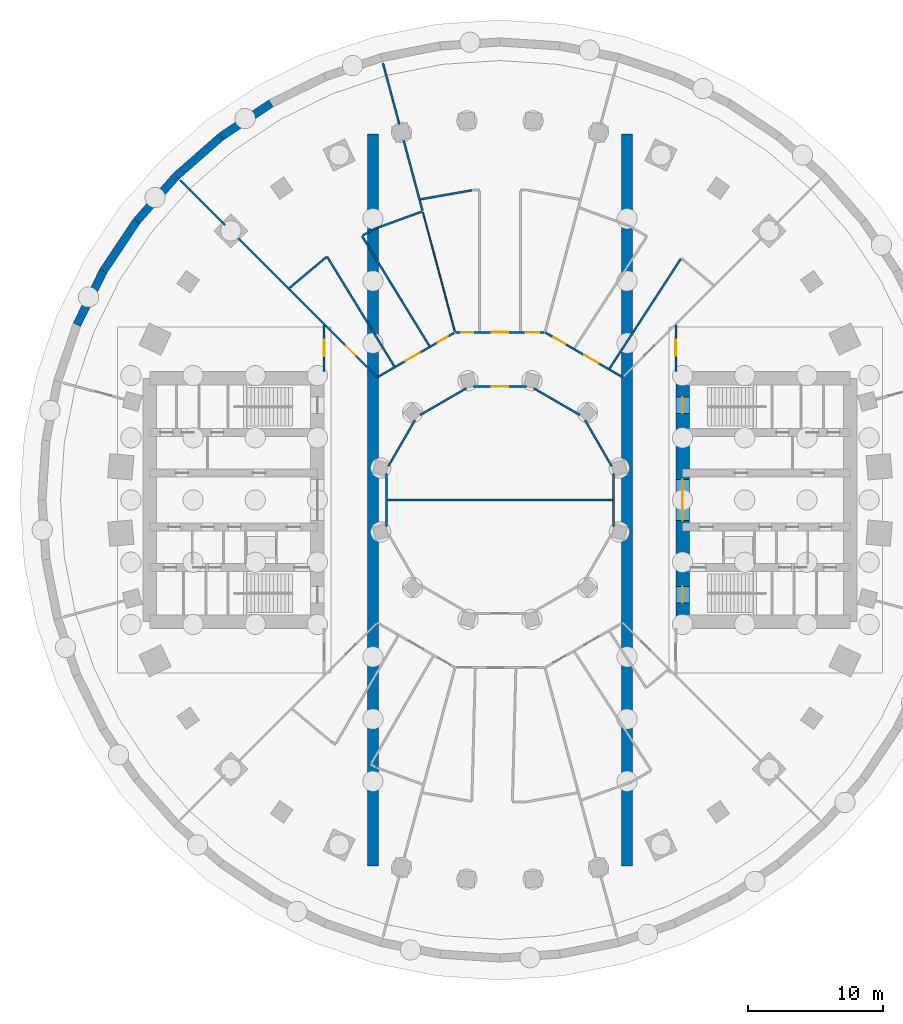
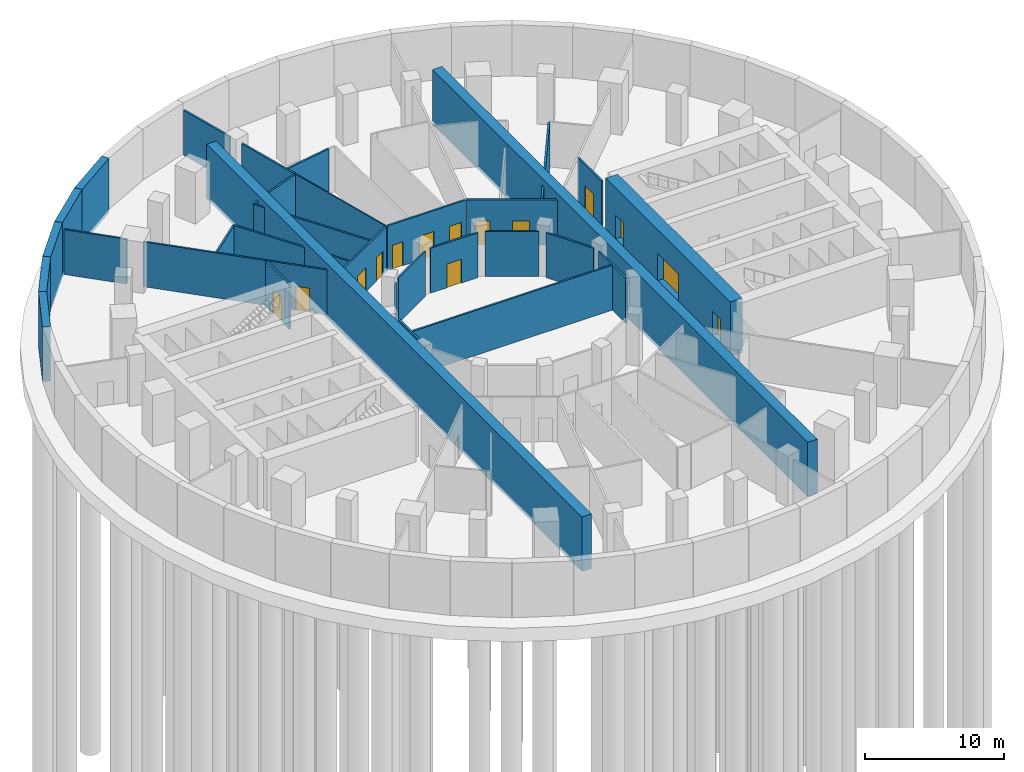
# One storey, part 6 of 10: 33 walls, 14 doors, 14 openings.
"""IFC4 building model written with IfcOpenShell, lengths in metres."""

from ifc_helpers import new_model, si_unit, direction, frame, frame_2d, origin, place, context, subcontext, project, spatial, rectangle, extrude, material, layer, layer_set, type_object, element, fill, save


model = new_model("IFC4")

# Units and contexts
model_context = context("Model", 3, precision=1e-05, world=origin(), true_north=direction((0.0, 1.0)))
body_context = subcontext(model_context, "Body", "Model", "MODEL_VIEW")
ifc_project = project(units=[si_unit("LENGTHUNIT", "METRE"), si_unit("AREAUNIT", "SQUARE_METRE"), si_unit("VOLUMEUNIT", "CUBIC_METRE"), si_unit("PLANEANGLEUNIT", "RADIAN"), si_unit("MASSUNIT", "GRAM", prefix="KILO")], contexts=[model_context])

# Site, building, storey
site_placement = place(None, origin())
site = spatial("IfcSite", under=ifc_project, at=site_placement, CompositionType="ELEMENT")
building_placement = place(site_placement, origin())
building = spatial("IfcBuilding", under=site, at=building_placement, Name="Saqina Gate Tower", CompositionType="ELEMENT")
storey_placement = place(building_placement, frame((0.0, 0.0, -9.0)))
storey = spatial("IfcBuildingStorey", under=building, at=storey_placement, Name="B2", CompositionType="ELEMENT", Elevation=-9.0)

# Walls
ifc_material_1 = material(Name="Gypsum board on steel studs, 100 mm", Category="steel")
ifc_layer_1 = layer(ifc_material_1, 0.10009765625)
ifc_layer_set_1 = layer_set([ifc_layer_1], Name="SPECIAL PARTITION 100")
wall_type_1 = type_object("IfcWallType", Name="SPECIAL PARTITION 100", PredefinedType="PARTITIONING", material=ifc_layer_set_1)
wall_1_placement = place(storey_placement, frame((-5.70166015625, 21.278564453125, 0.0), z_axis=(0.0, 0.0, 1.0), x_axis=(0.258795874203, -0.965932034615, 0.0)))
element("IfcWall", 1, at=wall_1_placement, inside=storey, type_object=wall_type_1, Name="PARTITION 001", PredefinedType="PARTITIONING", context=body_context, shape_type="SweptSolid", body=[
    extrude(rectangle(XDim=9.11669921875, YDim=0.10009765625, at=frame_2d((4.558349609375, 0.0))), origin(), (0.0, 0.0, 1.0), 3.949951171875),
])
ifc_material_2 = material(Name="Masonry block and plaster, 150 mm, fire rated", Category="masonry")
ifc_layer_2 = layer(ifc_material_2, 0.14990234375)
ifc_layer_set_2 = layer_set([ifc_layer_2], Name="SPECIAL PARTITION EI 60 150")
wall_type_2 = type_object("IfcWallType", Name="SPECIAL PARTITION EI 60 150", PredefinedType="PARTITIONING", material=ifc_layer_set_2)
wall_2_placement = place(storey_placement, frame((-8.65673828125, 32.30810546875, 0.0), z_axis=(0.0, 0.0, 1.0), x_axis=(0.258787281972, -0.965934336634, 0.0)))
element("IfcWall", 2, at=wall_2_placement, inside=storey, type_object=wall_type_2, Name="PARTITION 002", PredefinedType="PARTITIONING", context=body_context, shape_type="SweptSolid", body=[
    extrude(rectangle(XDim=4.687744140625, YDim=0.14990234375, at=frame_2d((2.34375, 0.0))), origin(), (0.0, 0.0, 1.0), 3.949951171875),
])
wall_3_placement = place(storey_placement, frame((-7.127685546875, 26.6015625, 0.0), z_axis=(0.0, 0.0, 1.0), x_axis=(0.258799530373, -0.965931055034, 0.0)))
element("IfcWall", 3, at=wall_3_placement, inside=storey, type_object=wall_type_2, Name="PARTITION 003", PredefinedType="PARTITIONING", context=body_context, shape_type="SweptSolid", body=[
    extrude(rectangle(XDim=5.3857421875, YDim=0.14990234375, at=frame_2d((2.69287109375, 0.0))), origin(), (0.0, 0.0, 1.0), 3.949951171875),
])
wall_4_placement = place(storey_placement, frame((6.29150390625, 5.902099609375, 0.0), z_axis=(0.0, 0.0, 1.0), x_axis=(0.500061252887, -0.865990036525, 0.0)))
element("IfcWall", 4, at=wall_4_placement, inside=storey, type_object=wall_type_2, Name="PARTITION 007", PredefinedType="PARTITIONING", context=body_context, shape_type="SweptSolid", body=[
    extrude(rectangle(XDim=3.9296875, YDim=0.14990234375, at=frame_2d((1.96484375, 0.0))), origin(), (0.0, 0.0, 1.0), 3.949951171875),
])
wall_5_placement = place(storey_placement, frame((-12.794921875, 18.009033203125, 0.0), z_axis=(0.0, 0.0, 1.0), x_axis=(0.522436995147, -0.852677891177, 0.0)))
element("IfcWall", 5, at=wall_5_placement, inside=storey, type_object=wall_type_2, Name="PARTITION 008", PredefinedType="PARTITIONING", context=body_context, shape_type="SweptSolid", body=[
    extrude(rectangle(XDim=9.52197265625, YDim=0.14990234375, at=frame_2d((4.760986328125, 0.0))), origin(), (0.0, 0.0, 1.0), 3.949951171875),
])
wall_6_placement = place(storey_placement, frame((-10.2099609375, 19.531982421875, 0.0), z_axis=(0.0, 0.0, 1.0), x_axis=(0.522490105179, -0.852645348307, 0.0)))
element("IfcWall", 6, at=wall_6_placement, inside=storey, type_object=wall_type_2, Name="PARTITION 009", PredefinedType="PARTITIONING", context=body_context, shape_type="SweptSolid", body=[
    extrude(rectangle(XDim=9.548095703125, YDim=0.14990234375, at=frame_2d((4.77392578125, 0.0))), origin(), (0.0, 0.0, 1.0), 3.949951171875),
])
wall_7_placement = place(storey_placement, frame((-23.65087890625, 23.65087890625, 0.0), z_axis=(0.0, 0.0, 1.0), x_axis=(0.707106781187, -0.707106781187, 0.0)))
element("IfcWall", 7, at=wall_7_placement, inside=storey, type_object=wall_type_2, Name="PARTITION 012", PredefinedType="PARTITIONING", context=body_context, shape_type="SweptSolid", body=[
    extrude(rectangle(XDim=4.687255859375, YDim=0.14990234375, at=frame_2d((2.34375, 0.0))), origin(), (0.0, 0.0, 1.0), 3.949951171875),
])

# Wall, opening, door
wall_8_placement = place(storey_placement, frame((-19.4736328125, 19.4736328125, 0.0), z_axis=(0.0, 0.0, 1.0), x_axis=(0.707106781187, -0.707106781187, 0.0)))
wall_8 = element("IfcWall", 8, at=wall_8_placement, inside=storey, type_object=wall_type_2, Name="PARTITION 013", PredefinedType="PARTITIONING", context=body_context, shape_type="SweptSolid", body=[
    extrude(rectangle(XDim=14.703125, YDim=0.14990234375, at=frame_2d((7.3515625, 0.0))), origin(), (0.0, 0.0, 1.0), 3.949951171875),
])
opening_1_placement = place(wall_8_placement, frame((11.427490234375, 0.0, 0.0)))
opening_1 = element("IfcOpeningElement", 9, at=opening_1_placement, cuts=wall_8, Name="Opening B2-D12", PredefinedType="OPENING", context=body_context, shape_type="SweptSolid", body=[
    extrude(rectangle(XDim=1.0, YDim=2.10009765625, at=frame_2d((0.5, 1.050048828125))), frame((0.0, 0.0869140625, 0.0), z_axis=(0.0, -1.0, 0.0), x_axis=(1.0, 0.0, 0.0)), (0.0, 0.0, 1.0), 0.173828125),
])
ifc_material_3 = material(Name="Steel-framed fire door leaf, EI 60", Category="steel")
door_type_1 = type_object("IfcDoorType", Name="SPECIAL DOOR 1000 FIRE EI 60", OperationType="SINGLE_SWING_LEFT", PredefinedType="DOOR", material=ifc_material_3)
door_1_placement = place(opening_1_placement, origin())
door_1 = element("IfcDoor", 10, at=door_1_placement, inside=storey, type_object=door_type_1, Name="DOOR B2-D12", OperationType="SINGLE_SWING_RIGHT", OverallHeight=2.10009765625, OverallWidth=1.0, PredefinedType="DOOR", context=body_context, shape_type="SweptSolid", body=[
    extrude(rectangle(XDim=1.0, YDim=2.10009765625, at=frame_2d((0.5, 1.050048828125))), frame((0.0, 0.02490234375, 0.0), z_axis=(0.0, -1.0, 0.0), x_axis=(1.0, 0.0, 0.0)), (0.0, 0.0, 1.0), 0.050048828125),
])
fill(opening_1, door_1)

# Wall
wall_9_placement = place(storey_placement, frame((2.4990234375, 8.256591796875, 0.0), z_axis=(0.0, 0.0, 1.0), x_axis=(0.865990036525, -0.500061252887, 0.0)))
element("IfcWall", 11, at=wall_9_placement, inside=storey, type_object=wall_type_2, Name="PARTITION 022", PredefinedType="PARTITIONING", context=body_context, shape_type="SweptSolid", body=[
    extrude(rectangle(XDim=3.9296875, YDim=0.14990234375, at=frame_2d((1.96484375, 0.0))), origin(), (0.0, 0.0, 1.0), 3.949951171875),
])

# Wall, openings, doors
wall_10_placement = place(storey_placement, frame((3.322998046875, 12.39990234375, 0.0), z_axis=(0.0, 0.0, 1.0), x_axis=(0.865961614908, -0.500110469302, 0.0)))
wall_10 = element("IfcWall", 12, at=wall_10_placement, inside=storey, type_object=wall_type_2, Name="PARTITION 023", PredefinedType="PARTITIONING", context=body_context, shape_type="SweptSolid", body=[
    extrude(rectangle(XDim=6.64453125, YDim=0.14990234375, at=frame_2d((3.322265625, 0.0))), origin(), (0.0, 0.0, 1.0), 3.949951171875),
])
opening_2_placement = place(wall_10_placement, frame((3.371826171875, 0.0, 0.0)))
opening_2 = element("IfcOpeningElement", 13, at=opening_2_placement, cuts=wall_10, Name="Opening B2-D04", PredefinedType="OPENING", context=body_context, shape_type="SweptSolid", body=[
    extrude(rectangle(XDim=1.199951171875, YDim=2.10009765625, at=frame_2d((0.60009765625, 1.050048828125))), frame((0.0, 0.0869140625, 0.0), z_axis=(0.0, -1.0, 0.0), x_axis=(1.0, 0.0, 0.0)), (0.0, 0.0, 1.0), 0.173828125),
])
opening_3_placement = place(wall_10_placement, frame((0.735107421875, 0.0, 0.0)))
opening_3 = element("IfcOpeningElement", 14, at=opening_3_placement, cuts=wall_10, Name="Opening B2-D05", PredefinedType="OPENING", context=body_context, shape_type="SweptSolid", body=[
    extrude(rectangle(XDim=1.0, YDim=2.10009765625, at=frame_2d((0.5, 1.050048828125))), frame((0.0, 0.0869140625, 0.0), z_axis=(0.0, -1.0, 0.0), x_axis=(1.0, 0.0, 0.0)), (0.0, 0.0, 1.0), 0.173828125),
])
door_2_placement = place(opening_3_placement, origin())
door_2 = element("IfcDoor", 15, at=door_2_placement, inside=storey, type_object=door_type_1, Name="DOOR B2-D05", OperationType="SINGLE_SWING_LEFT", OverallHeight=2.10009765625, OverallWidth=1.0, PredefinedType="DOOR", context=body_context, shape_type="SweptSolid", body=[
    extrude(rectangle(XDim=1.0, YDim=2.10009765625, at=frame_2d((0.5, 1.050048828125))), frame((0.0, 0.02490234375, 0.0), z_axis=(0.0, -1.0, 0.0), x_axis=(1.0, 0.0, 0.0)), (0.0, 0.0, 1.0), 0.050048828125),
])
fill(opening_3, door_2)
ifc_material_4 = material(Name="Steel-framed fire door leaf, EI 60", Category="steel")
door_type_2 = type_object("IfcDoorType", Name="SPECIAL DOOR 1200 FIRE EI 60", OperationType="SINGLE_SWING_LEFT", PredefinedType="DOOR", material=ifc_material_4)
door_3_placement = place(opening_2_placement, frame((1.199951171875, 0.0, 0.0), z_axis=(0.0, 0.0, 1.0), x_axis=(-1.0, 0.0, 0.0)))
door_3 = element("IfcDoor", 16, at=door_3_placement, inside=storey, type_object=door_type_2, Name="DOOR B2-D04", OperationType="SINGLE_SWING_LEFT", OverallHeight=2.10009765625, OverallWidth=1.199951171875, PredefinedType="DOOR", context=body_context, shape_type="SweptSolid", body=[
    extrude(rectangle(XDim=1.199951171875, YDim=2.10009765625, at=frame_2d((0.60009765625, 1.050048828125))), frame((0.0, 0.02490234375, 0.0), z_axis=(0.0, -1.0, 0.0), x_axis=(1.0, 0.0, 0.0)), (0.0, 0.0, 1.0), 0.050048828125),
])
fill(opening_2, door_3)

# Wall
wall_11_placement = place(storey_placement, frame((-8.324951171875, 0.0, 0.0), z_axis=(0.0, 0.0, 1.0), x_axis=(1.0, 0.0, 0.0)))
element("IfcWall", 17, at=wall_11_placement, inside=storey, type_object=wall_type_2, Name="PARTITION 034", PredefinedType="PARTITIONING", context=body_context, shape_type="SweptSolid", body=[
    extrude(rectangle(XDim=16.64990234375, YDim=0.14990234375, at=frame_2d((8.324951171875, 0.0))), origin(), (0.0, 0.0, 1.0), 3.949951171875),
])

# Wall, opening, door
wall_12_placement = place(storey_placement, frame((-1.96435546875, 8.39990234375, 0.0), z_axis=(0.0, 0.0, 1.0), x_axis=(1.0, 0.0, 0.0)))
wall_12 = element("IfcWall", 18, at=wall_12_placement, inside=storey, type_object=wall_type_2, Name="PARTITION 035", PredefinedType="PARTITIONING", context=body_context, shape_type="SweptSolid", body=[
    extrude(rectangle(XDim=3.9287109375, YDim=0.14990234375, at=frame_2d((1.96435546875, 0.0))), origin(), (0.0, 0.0, 1.0), 3.949951171875),
])
opening_4_placement = place(wall_12_placement, frame((1.364501953125, 0.0, 0.0)))
opening_4 = element("IfcOpeningElement", 19, at=opening_4_placement, cuts=wall_12, Name="Opening B2-D07", PredefinedType="OPENING", context=body_context, shape_type="SweptSolid", body=[
    extrude(rectangle(XDim=1.199951171875, YDim=2.10009765625, at=frame_2d((0.60009765625, 1.050048828125))), frame((0.0, 0.0869140625, 0.0), z_axis=(0.0, -1.0, 0.0), x_axis=(1.0, 0.0, 0.0)), (0.0, 0.0, 1.0), 0.173828125),
])
door_4_placement = place(opening_4_placement, origin())
door_4 = element("IfcDoor", 20, at=door_4_placement, inside=storey, type_object=door_type_2, Name="DOOR B2-D07", OperationType="SINGLE_SWING_RIGHT", OverallHeight=2.10009765625, OverallWidth=1.199951171875, PredefinedType="DOOR", context=body_context, shape_type="SweptSolid", body=[
    extrude(rectangle(XDim=1.199951171875, YDim=2.10009765625, at=frame_2d((0.60009765625, 1.050048828125))), frame((0.0, 0.02490234375, 0.0), z_axis=(0.0, -1.0, 0.0), x_axis=(1.0, 0.0, 0.0)), (0.0, 0.0, 1.0), 0.050048828125),
])
fill(opening_4, door_4)

# Wall, openings, doors
wall_13_placement = place(storey_placement, frame((-3.27294921875, 12.39990234375, 0.0), z_axis=(0.0, 0.0, 1.0), x_axis=(1.0, 0.0, 0.0)))
wall_13 = element("IfcWall", 21, at=wall_13_placement, inside=storey, type_object=wall_type_2, Name="PARTITION 036", PredefinedType="PARTITIONING", context=body_context, shape_type="SweptSolid", body=[
    extrude(rectangle(XDim=6.52099609375, YDim=0.14990234375, at=frame_2d((3.260498046875, 0.0))), origin(), (0.0, 0.0, 1.0), 3.949951171875),
])
opening_5_placement = place(wall_13_placement, frame((5.1845703125, 0.0, 0.0)))
opening_5 = element("IfcOpeningElement", 22, at=opening_5_placement, cuts=wall_13, Name="Opening B2-D06", PredefinedType="OPENING", context=body_context, shape_type="SweptSolid", body=[
    extrude(rectangle(XDim=1.0, YDim=2.10009765625, at=frame_2d((0.5, 1.050048828125))), frame((0.0, 0.0869140625, 0.0), z_axis=(0.0, -1.0, 0.0), x_axis=(1.0, 0.0, 0.0)), (0.0, 0.0, 1.0), 0.173828125),
])
opening_6_placement = place(wall_13_placement, frame((2.673095703125, 0.0, 0.0)))
opening_6 = element("IfcOpeningElement", 23, at=opening_6_placement, cuts=wall_13, Name="Opening B2-D08", PredefinedType="OPENING", context=body_context, shape_type="SweptSolid", body=[
    extrude(rectangle(XDim=1.199951171875, YDim=2.10009765625, at=frame_2d((0.60009765625, 1.050048828125))), frame((0.0, 0.0869140625, 0.0), z_axis=(0.0, -1.0, 0.0), x_axis=(1.0, 0.0, 0.0)), (0.0, 0.0, 1.0), 0.173828125),
])
opening_7_placement = place(wall_13_placement, frame((0.41162109375, 0.0, 0.0)))
opening_7 = element("IfcOpeningElement", 24, at=opening_7_placement, cuts=wall_13, Name="Opening B2-D09", PredefinedType="OPENING", context=body_context, shape_type="SweptSolid", body=[
    extrude(rectangle(XDim=0.89990234375, YDim=2.10009765625, at=frame_2d((0.449951171875, 1.050048828125))), frame((0.0, 0.0869140625, 0.0), z_axis=(0.0, -1.0, 0.0), x_axis=(1.0, 0.0, 0.0)), (0.0, 0.0, 1.0), 0.173828125),
])
door_5_placement = place(opening_5_placement, origin())
door_5 = element("IfcDoor", 25, at=door_5_placement, inside=storey, type_object=door_type_1, Name="DOOR B2-D06", OperationType="SINGLE_SWING_LEFT", OverallHeight=2.10009765625, OverallWidth=1.0, PredefinedType="DOOR", context=body_context, shape_type="SweptSolid", body=[
    extrude(rectangle(XDim=1.0, YDim=2.10009765625, at=frame_2d((0.5, 1.050048828125))), frame((0.0, 0.02490234375, 0.0), z_axis=(0.0, -1.0, 0.0), x_axis=(1.0, 0.0, 0.0)), (0.0, 0.0, 1.0), 0.050048828125),
])
fill(opening_5, door_5)
door_6_placement = place(opening_6_placement, frame((1.199951171875, 0.0, 0.0), z_axis=(0.0, 0.0, 1.0), x_axis=(-1.0, 0.0, 0.0)))
door_6 = element("IfcDoor", 26, at=door_6_placement, inside=storey, type_object=door_type_2, Name="DOOR B2-D08", OperationType="SINGLE_SWING_LEFT", OverallHeight=2.10009765625, OverallWidth=1.199951171875, PredefinedType="DOOR", context=body_context, shape_type="SweptSolid", body=[
    extrude(rectangle(XDim=1.199951171875, YDim=2.10009765625, at=frame_2d((0.60009765625, 1.050048828125))), frame((0.0, 0.02490234375, 0.0), z_axis=(0.0, -1.0, 0.0), x_axis=(1.0, 0.0, 0.0)), (0.0, 0.0, 1.0), 0.050048828125),
])
fill(opening_6, door_6)
ifc_material_5 = material(Name="Steel-framed fire door leaf, EI 60", Category="steel")
door_type_3 = type_object("IfcDoorType", Name="SPECIAL DOOR 900 FIRE EI 60", OperationType="SINGLE_SWING_LEFT", PredefinedType="DOOR", material=ifc_material_5)
door_7_placement = place(opening_7_placement, origin())
door_7 = element("IfcDoor", 27, at=door_7_placement, inside=storey, type_object=door_type_3, Name="DOOR B2-D09", OperationType="SINGLE_SWING_RIGHT", OverallHeight=2.10009765625, OverallWidth=0.89990234375, PredefinedType="DOOR", context=body_context, shape_type="SweptSolid", body=[
    extrude(rectangle(XDim=0.89990234375, YDim=2.10009765625, at=frame_2d((0.449951171875, 1.050048828125))), frame((0.0, 0.02490234375, 0.0), z_axis=(0.0, -1.0, 0.0), x_axis=(1.0, 0.0, 0.0)), (0.0, 0.0, 1.0), 0.050048828125),
])
fill(opening_7, door_7)

# Walls
wall_14_placement = place(storey_placement, frame((-5.881103515625, 22.237060546875, 0.0), z_axis=(0.0, 0.0, 1.0), x_axis=(0.984830631008, 0.173518380088, 0.0)))
element("IfcWall", 28, at=wall_14_placement, inside=storey, type_object=wall_type_2, Name="PARTITION 040", PredefinedType="PARTITIONING", context=body_context, shape_type="SweptSolid", body=[
    extrude(rectangle(XDim=3.86083984375, YDim=0.14990234375, at=frame_2d((1.930419921875, 0.0))), origin(), (0.0, 0.0, 1.0), 3.949951171875),
])
wall_15_placement = place(storey_placement, frame((-9.342041015625, 20.032958984375, 0.0), z_axis=(0.0, 0.0, 1.0), x_axis=(0.939675295546, 0.34206774028, 0.0)))
element("IfcWall", 29, at=wall_15_placement, inside=storey, type_object=wall_type_2, Name="PARTITION 044", PredefinedType="PARTITIONING", context=body_context, shape_type="SweptSolid", body=[
    extrude(rectangle(XDim=3.803466796875, YDim=0.14990234375, at=frame_2d((1.90185546875, 0.0))), origin(), (0.0, 0.0, 1.0), 3.949951171875),
])
wall_16_placement = place(storey_placement, frame((-5.902099609375, 6.29150390625, 0.0), z_axis=(0.0, 0.0, 1.0), x_axis=(0.865990036525, 0.500061252887, 0.0)))
element("IfcWall", 30, at=wall_16_placement, inside=storey, type_object=wall_type_2, Name="PARTITION 048", PredefinedType="PARTITIONING", context=body_context, shape_type="SweptSolid", body=[
    extrude(rectangle(XDim=3.9296875, YDim=0.14990234375, at=frame_2d((1.96484375, 0.0))), origin(), (0.0, 0.0, 1.0), 3.949951171875),
])

# Wall, openings, doors
wall_17_placement = place(storey_placement, frame((-9.01220703125, 9.114501953125, 0.0), z_axis=(0.0, 0.0, 1.0), x_axis=(0.865967095912, 0.5001009786, 0.0)))
wall_17 = element("IfcWall", 31, at=wall_17_placement, inside=storey, type_object=wall_type_2, Name="PARTITION 049", PredefinedType="PARTITIONING", context=body_context, shape_type="SweptSolid", body=[
    extrude(rectangle(XDim=6.494873046875, YDim=0.14990234375, at=frame_2d((3.24755859375, 0.0))), origin(), (0.0, 0.0, 1.0), 3.949951171875),
])
opening_8_placement = place(wall_17_placement, frame((5.04638671875, 0.0, 0.0)))
opening_8 = element("IfcOpeningElement", 32, at=opening_8_placement, cuts=wall_17, Name="Opening B2-D10", PredefinedType="OPENING", context=body_context, shape_type="SweptSolid", body=[
    extrude(rectangle(XDim=0.89990234375, YDim=2.10009765625, at=frame_2d((0.449951171875, 1.050048828125))), frame((0.0, 0.0869140625, 0.0), z_axis=(0.0, -1.0, 0.0), x_axis=(1.0, 0.0, 0.0)), (0.0, 0.0, 1.0), 0.173828125),
])
opening_9_placement = place(wall_17_placement, frame((2.322509765625, 0.0, 0.0)))
opening_9 = element("IfcOpeningElement", 33, at=opening_9_placement, cuts=wall_17, Name="Opening B2-D11", PredefinedType="OPENING", context=body_context, shape_type="SweptSolid", body=[
    extrude(rectangle(XDim=1.199951171875, YDim=2.10009765625, at=frame_2d((0.60009765625, 1.050048828125))), frame((0.0, 0.0869140625, 0.0), z_axis=(0.0, -1.0, 0.0), x_axis=(1.0, 0.0, 0.0)), (0.0, 0.0, 1.0), 0.173828125),
])
door_8_placement = place(opening_9_placement, frame((1.199951171875, 0.0, 0.0), z_axis=(0.0, 0.0, 1.0), x_axis=(-1.0, 0.0, 0.0)))
door_8 = element("IfcDoor", 34, at=door_8_placement, inside=storey, type_object=door_type_2, Name="DOOR B2-D11", OperationType="SINGLE_SWING_RIGHT", OverallHeight=2.10009765625, OverallWidth=1.199951171875, PredefinedType="DOOR", context=body_context, shape_type="SweptSolid", body=[
    extrude(rectangle(XDim=1.199951171875, YDim=2.10009765625, at=frame_2d((0.60009765625, 1.050048828125))), frame((0.0, 0.02490234375, 0.0), z_axis=(0.0, -1.0, 0.0), x_axis=(1.0, 0.0, 0.0)), (0.0, 0.0, 1.0), 0.050048828125),
])
fill(opening_9, door_8)
door_9_placement = place(opening_8_placement, origin())
door_9 = element("IfcDoor", 35, at=door_9_placement, inside=storey, type_object=door_type_3, Name="DOOR B2-D10", OperationType="SINGLE_SWING_LEFT", OverallHeight=2.10009765625, OverallWidth=0.89990234375, PredefinedType="DOOR", context=body_context, shape_type="SweptSolid", body=[
    extrude(rectangle(XDim=0.89990234375, YDim=2.10009765625, at=frame_2d((0.449951171875, 1.050048828125))), frame((0.0, 0.02490234375, 0.0), z_axis=(0.0, -1.0, 0.0), x_axis=(1.0, 0.0, 0.0)), (0.0, 0.0, 1.0), 0.050048828125),
])
fill(opening_8, door_9)

# Walls
wall_18_placement = place(storey_placement, frame((-10.14501953125, 19.569580078125, 0.0), z_axis=(0.0, 0.0, 1.0), x_axis=(0.866066322073, 0.499929120747, 0.0)))
element("IfcWall", 36, at=wall_18_placement, inside=storey, type_object=wall_type_2, Name="PARTITION 050", PredefinedType="PARTITIONING", context=body_context, shape_type="SweptSolid", body=[
    extrude(rectangle(XDim=0.85205078125, YDim=0.14990234375, at=frame_2d((0.426025390625, 0.0))), origin(), (0.0, 0.0, 1.0), 3.949951171875),
])
wall_19_placement = place(storey_placement, frame((-15.572509765625, 15.67822265625, 0.0), z_axis=(0.0, 0.0, 1.0), x_axis=(0.766024433349, 0.642811455648, 0.0)))
element("IfcWall", 37, at=wall_19_placement, inside=storey, type_object=wall_type_2, Name="PARTITION 052", PredefinedType="PARTITIONING", context=body_context, shape_type="SweptSolid", body=[
    extrude(rectangle(XDim=3.55078125, YDim=0.14990234375, at=frame_2d((1.775390625, 0.0))), origin(), (0.0, 0.0, 1.0), 3.949951171875),
])
wall_20_placement = place(storey_placement, frame((8.10400390625, 9.725341796875, 0.0), z_axis=(0.0, 0.0, 1.0), x_axis=(0.54464977912, 0.838663590544, 0.0)))
element("IfcWall", 38, at=wall_20_placement, inside=storey, type_object=wall_type_2, Name="PARTITION 057", PredefinedType="PARTITIONING", context=body_context, shape_type="SweptSolid", body=[
    extrude(rectangle(XDim=9.657958984375, YDim=0.14990234375, at=frame_2d((4.8291015625, 0.0))), origin(), (0.0, 0.0, 1.0), 3.949951171875),
])
wall_21_placement = place(storey_placement, frame((-8.256591796875, 2.4990234375, 0.0), z_axis=(0.0, 0.0, 1.0), x_axis=(0.500061252887, 0.865990036525, 0.0)))
element("IfcWall", 39, at=wall_21_placement, inside=storey, type_object=wall_type_2, Name="PARTITION 062", PredefinedType="PARTITIONING", context=body_context, shape_type="SweptSolid", body=[
    extrude(rectangle(XDim=3.9296875, YDim=0.14990234375, at=frame_2d((1.96484375, 0.0))), origin(), (0.0, 0.0, 1.0), 3.949951171875),
])

# Wall, opening, door
wall_22_placement = place(storey_placement, frame((13.0, 9.5, 0.0), z_axis=(0.0, 0.0, 1.0), x_axis=(0.0, 1.0, 0.0)))
wall_22 = element("IfcWall", 40, at=wall_22_placement, inside=storey, type_object=wall_type_2, Name="PARTITION 070", PredefinedType="PARTITIONING", context=body_context, shape_type="SweptSolid", body=[
    extrude(rectangle(XDim=3.425048828125, YDim=0.14990234375, at=frame_2d((1.71240234375, 0.0))), origin(), (0.0, 0.0, 1.0), 3.949951171875),
])
opening_10_placement = place(wall_22_placement, frame((1.14990234375, 0.0, 0.0)))
opening_10 = element("IfcOpeningElement", 41, at=opening_10_placement, cuts=wall_22, Name="Opening B2-D02", PredefinedType="OPENING", context=body_context, shape_type="SweptSolid", body=[
    extrude(rectangle(XDim=1.199951171875, YDim=2.10009765625, at=frame_2d((0.60009765625, 1.050048828125))), frame((0.0, 0.0869140625, 0.0), z_axis=(0.0, -1.0, 0.0), x_axis=(1.0, 0.0, 0.0)), (0.0, 0.0, 1.0), 0.173828125),
])
door_10_placement = place(opening_10_placement, origin())
door_10 = element("IfcDoor", 42, at=door_10_placement, inside=storey, type_object=door_type_2, Name="DOOR B2-D02", OperationType="SINGLE_SWING_RIGHT", OverallHeight=2.10009765625, OverallWidth=1.199951171875, PredefinedType="DOOR", context=body_context, shape_type="SweptSolid", body=[
    extrude(rectangle(XDim=1.199951171875, YDim=2.10009765625, at=frame_2d((0.60009765625, 1.050048828125))), frame((0.0, 0.02490234375, 0.0), z_axis=(0.0, -1.0, 0.0), x_axis=(1.0, 0.0, 0.0)), (0.0, 0.0, 1.0), 0.050048828125),
])
fill(opening_10, door_10)

# Walls
for number, where, z_axis, x_axis, name in (
    (43, (8.39990234375, -1.96435546875, 0.0), (0.0, 0.0, 1.0), (0.0, 1.0, 0.0), "PARTITION 071"),
    (44, (-8.39990234375, -1.96435546875, 0.0), (0.0, 0.0, 1.0), (0.0, 1.0, 0.0), "PARTITION 074"),
):
    element("IfcWall", number, at=place(storey_placement, frame(where, z_axis=z_axis, x_axis=x_axis)), inside=storey, type_object=wall_type_2, Name=name, PredefinedType="PARTITIONING", context=body_context, shape_type="SweptSolid", body=[
        extrude(rectangle(XDim=3.9287109375, YDim=0.14990234375, at=frame_2d((1.96435546875, 0.0))), origin(), (0.0, 0.0, 1.0), 3.949951171875),
    ])

# Wall, opening, door
wall_23_placement = place(storey_placement, frame((-13.0, 9.5, 0.0), z_axis=(0.0, 0.0, 1.0), x_axis=(0.0, 1.0, 0.0)))
wall_23 = element("IfcWall", 45, at=wall_23_placement, inside=storey, type_object=wall_type_2, Name="PARTITION 076", PredefinedType="PARTITIONING", context=body_context, shape_type="SweptSolid", body=[
    extrude(rectangle(XDim=3.425048828125, YDim=0.14990234375, at=frame_2d((1.71240234375, 0.0))), origin(), (0.0, 0.0, 1.0), 3.949951171875),
])
opening_11_placement = place(wall_23_placement, frame((1.14990234375, 0.0, 0.0)))
opening_11 = element("IfcOpeningElement", 46, at=opening_11_placement, cuts=wall_23, Name="Opening B2-D13", PredefinedType="OPENING", context=body_context, shape_type="SweptSolid", body=[
    extrude(rectangle(XDim=1.199951171875, YDim=2.10009765625, at=frame_2d((0.60009765625, 1.050048828125))), frame((0.0, 0.0869140625, 0.0), z_axis=(0.0, -1.0, 0.0), x_axis=(1.0, 0.0, 0.0)), (0.0, 0.0, 1.0), 0.173828125),
])
door_11_placement = place(opening_11_placement, frame((1.199951171875, 0.0, 0.0), z_axis=(0.0, 0.0, 1.0), x_axis=(-1.0, 0.0, 0.0)))
door_11 = element("IfcDoor", 47, at=door_11_placement, inside=storey, type_object=door_type_2, Name="DOOR B2-D13", OperationType="SINGLE_SWING_LEFT", OverallHeight=2.10009765625, OverallWidth=1.199951171875, PredefinedType="DOOR", context=body_context, shape_type="SweptSolid", body=[
    extrude(rectangle(XDim=1.199951171875, YDim=2.10009765625, at=frame_2d((0.60009765625, 1.050048828125))), frame((0.0, 0.02490234375, 0.0), z_axis=(0.0, -1.0, 0.0), x_axis=(1.0, 0.0, 0.0)), (0.0, 0.0, 1.0), 0.050048828125),
])
fill(opening_11, door_11)

# Wall, openings, doors
ifc_material_6 = material(Name="Concrete C70/85", Category="concrete")
ifc_layer_3 = layer(ifc_material_6, 1.0)
ifc_layer_set_3 = layer_set([ifc_layer_3], Name="Concrete C70/85")
wall_type_3 = type_object("IfcWallType", Name="STR-CORE WALL-P-O", PredefinedType="SHEAR", material=ifc_layer_set_3)
wall_24_placement = place(storey_placement, frame((13.5, -9.0, -0.300048828125), z_axis=(0.0, 0.0, 1.0), x_axis=(0.0, 1.0, 0.0)))
wall_24 = element("IfcWall", 48, at=wall_24_placement, inside=storey, type_object=wall_type_3, Name="CORE WALL B2 E-W1", PredefinedType="SHEAR", context=body_context, shape_type="SweptSolid", body=[
    extrude(rectangle(XDim=18.0, YDim=1.0, at=frame_2d((9.0, 0.0))), origin(), (0.0, 0.0, 1.0), 4.800048828125),
])
opening_12_placement = place(wall_24_placement, frame((15.39990234375, 0.0, 0.300048828125)))
opening_12 = element("IfcOpeningElement", 49, at=opening_12_placement, cuts=wall_24, Name="Opening B2-D103", PredefinedType="OPENING", context=body_context, shape_type="SweptSolid", body=[
    extrude(rectangle(XDim=1.199951171875, YDim=2.10009765625, at=frame_2d((0.60009765625, 1.050048828125))), frame((0.0, 0.511962890625, 0.0), z_axis=(0.0, -1.0, 0.0), x_axis=(1.0, 0.0, 0.0)), (0.0, 0.0, 1.0), 1.02392578125),
])
opening_13_placement = place(wall_24_placement, frame((1.39990234375, 0.0, 0.300048828125)))
opening_13 = element("IfcOpeningElement", 50, at=opening_13_placement, cuts=wall_24, Name="Opening B2-D104", PredefinedType="OPENING", context=body_context, shape_type="SweptSolid", body=[
    extrude(rectangle(XDim=1.199951171875, YDim=2.10009765625, at=frame_2d((0.60009765625, 1.050048828125))), frame((0.0, 0.511962890625, 0.0), z_axis=(0.0, -1.0, 0.0), x_axis=(1.0, 0.0, 0.0)), (0.0, 0.0, 1.0), 1.02392578125),
])
opening_14_placement = place(wall_24_placement, frame((7.5, 0.0, 0.300048828125)))
opening_14 = element("IfcOpeningElement", 51, at=opening_14_placement, cuts=wall_24, Name="Opening B2-D105", PredefinedType="OPENING", context=body_context, shape_type="SweptSolid", body=[
    extrude(rectangle(XDim=3.0, YDim=2.39990234375, at=frame_2d((1.5, 1.199951171875))), frame((0.0, 0.511962890625, 0.0), z_axis=(0.0, -1.0, 0.0), x_axis=(1.0, 0.0, 0.0)), (0.0, 0.0, 1.0), 1.02392578125),
])
ifc_material_7 = material(Name="Steel", Category="steel")
door_type_4 = type_object("IfcDoorType", Name="FIRE DOOR EI 60", OperationType="SINGLE_SWING_LEFT", PredefinedType="DOOR", material=ifc_material_7)
door_12_placement = place(opening_12_placement, frame((1.199951171875, 0.0, 0.0), z_axis=(0.0, 0.0, 1.0), x_axis=(-1.0, 0.0, 0.0)))
door_12 = element("IfcDoor", 52, at=door_12_placement, inside=storey, type_object=door_type_4, Name="B2-CD-E14", OperationType="SINGLE_SWING_LEFT", OverallHeight=2.10009765625, OverallWidth=1.199951171875, PredefinedType="DOOR", context=body_context, shape_type="SweptSolid", body=[
    extrude(rectangle(XDim=1.199951171875, YDim=2.10009765625, at=frame_2d((0.60009765625, 1.050048828125))), frame((0.0, 0.02490234375, 0.0), z_axis=(0.0, -1.0, 0.0), x_axis=(1.0, 0.0, 0.0)), (0.0, 0.0, 1.0), 0.050048828125),
])
fill(opening_12, door_12)
door_13_placement = place(opening_13_placement, frame((1.199951171875, 0.0, 0.0), z_axis=(0.0, 0.0, 1.0), x_axis=(-1.0, 0.0, 0.0)))
door_13 = element("IfcDoor", 53, at=door_13_placement, inside=storey, type_object=door_type_4, Name="B2-CD-E15", OperationType="SINGLE_SWING_RIGHT", OverallHeight=2.10009765625, OverallWidth=1.199951171875, PredefinedType="DOOR", context=body_context, shape_type="SweptSolid", body=[
    extrude(rectangle(XDim=1.199951171875, YDim=2.10009765625, at=frame_2d((0.60009765625, 1.050048828125))), frame((0.0, 0.02490234375, 0.0), z_axis=(0.0, -1.0, 0.0), x_axis=(1.0, 0.0, 0.0)), (0.0, 0.0, 1.0), 0.050048828125),
])
fill(opening_13, door_13)
ifc_material_8 = material(Name="Steel and fire-resisting glass", Category="steel")
door_type_5 = type_object("IfcDoorType", Name="LOBBY SCREEN DOOR", OperationType="DOUBLE_DOOR_SLIDING", PredefinedType="DOOR", material=ifc_material_8)
door_14_placement = place(opening_14_placement, origin())
door_14 = element("IfcDoor", 54, at=door_14_placement, inside=storey, type_object=door_type_5, Name="B2-CD-E16", OperationType="DOUBLE_DOOR_SLIDING", OverallHeight=2.39990234375, OverallWidth=3.0, PredefinedType="DOOR", context=body_context, shape_type="SweptSolid", body=[
    extrude(rectangle(XDim=3.0, YDim=2.39990234375, at=frame_2d((1.5, 1.199951171875))), frame((0.0, 0.02490234375, 0.0), z_axis=(0.0, -1.0, 0.0), x_axis=(1.0, 0.0, 0.0)), (0.0, 0.0, 1.0), 0.050048828125),
])
fill(opening_14, door_14)

# Walls
ifc_material_9 = material(Name="Concrete C70/85", Category="concrete")
ifc_layer_4 = layer(ifc_material_9, 0.800048828125)
ifc_layer_set_4 = layer_set([ifc_layer_4], Name="Concrete C70/85")
wall_type_4 = type_object("IfcWallType", Name="STR-PIER-PASSAGE", PredefinedType="SHEAR", material=ifc_layer_set_4)
for number, where, z_axis, x_axis, name in (
    (55, (9.39990234375, -27.076904296875, -0.300048828125), (0.0, 0.0, 1.0), (0.0, 1.0, 0.0), "B2-FLKE"),
    (56, (-9.39990234375, -27.076904296875, -0.300048828125), (0.0, 0.0, 1.0), (0.0, 1.0, 0.0), "B2-FLKW"),
):
    element("IfcWall", number, at=place(storey_placement, frame(where, z_axis=z_axis, x_axis=x_axis)), inside=storey, type_object=wall_type_4, Name=name, PredefinedType="SHEAR", context=body_context, shape_type="SweptSolid", body=[
        extrude(rectangle(XDim=54.15380859375, YDim=0.800048828125, at=frame_2d((27.076904296875, 0.0))), origin(), (0.0, 0.0, 1.0), 4.800048828125),
    ])
ifc_material_10 = material(Name="Concrete C40/50", Category="concrete")
ifc_layer_5 = layer(ifc_material_10, 0.60009765625)
ifc_layer_set_5 = layer_set([ifc_layer_5], Name="Concrete C40/50")
wall_type_5 = type_object("IfcWallType", Name="STR-WALL-RETAINING", PredefinedType="SOLIDWALL", material=ifc_layer_set_5)
wall_25_placement = place(storey_placement, frame((-16.936279296875, 29.33447265625, -0.300048828125), z_axis=(0.0, 0.0, 1.0), x_axis=(-0.831464919904, -0.555577255626, 0.0)))
element("IfcWall", 57, at=wall_25_placement, inside=storey, type_object=wall_type_5, Name="BASEMENT RETAINING WALL 17", PredefinedType="SOLIDWALL", context=body_context, shape_type="SweptSolid", body=[
    extrude(rectangle(XDim=4.430908203125, YDim=0.60009765625, at=frame_2d((2.21533203125, 0.0))), origin(), (0.0, 0.0, 1.0), 4.800048828125),
])
for number, where, z_axis, x_axis, name in (
    (58, (-20.620361328125, 26.872802734375, -0.300048828125), (0.0, 0.0, 1.0), (-0.751825244185, -0.659362420985, 0.0), "BASEMENT RETAINING WALL 18"),
    (59, (-23.951416015625, 23.951416015625, -0.300048828125), (0.0, 0.0, 1.0), (-0.659362420985, -0.751825244185, 0.0), "BASEMENT RETAINING WALL 19"),
):
    element("IfcWall", number, at=place(storey_placement, frame(where, z_axis=z_axis, x_axis=x_axis)), inside=storey, type_object=wall_type_5, Name=name, PredefinedType="SOLIDWALL", context=body_context, shape_type="SweptSolid", body=[
        extrude(rectangle(XDim=4.4306640625, YDim=0.60009765625, at=frame_2d((2.21533203125, 0.0))), origin(), (0.0, 0.0, 1.0), 4.800048828125),
    ])
for number, where, z_axis, x_axis, name in (
    (60, (-26.872802734375, 20.620361328125, -0.300048828125), (0.0, 0.0, 1.0), (-0.555577255626, -0.831464919904, 0.0), "BASEMENT RETAINING WALL 20"),
    (61, (-29.33447265625, 16.936279296875, -0.300048828125), (0.0, 0.0, 1.0), (-0.442291876975, -0.896871169992, 0.0), "BASEMENT RETAINING WALL 21"),
):
    element("IfcWall", number, at=place(storey_placement, frame(where, z_axis=z_axis, x_axis=x_axis)), inside=storey, type_object=wall_type_5, Name=name, PredefinedType="SOLIDWALL", context=body_context, shape_type="SweptSolid", body=[
        extrude(rectangle(XDim=4.430908203125, YDim=0.60009765625, at=frame_2d((2.21533203125, 0.0))), origin(), (0.0, 0.0, 1.0), 4.800048828125),
    ])

save(model, "model.ifc")
